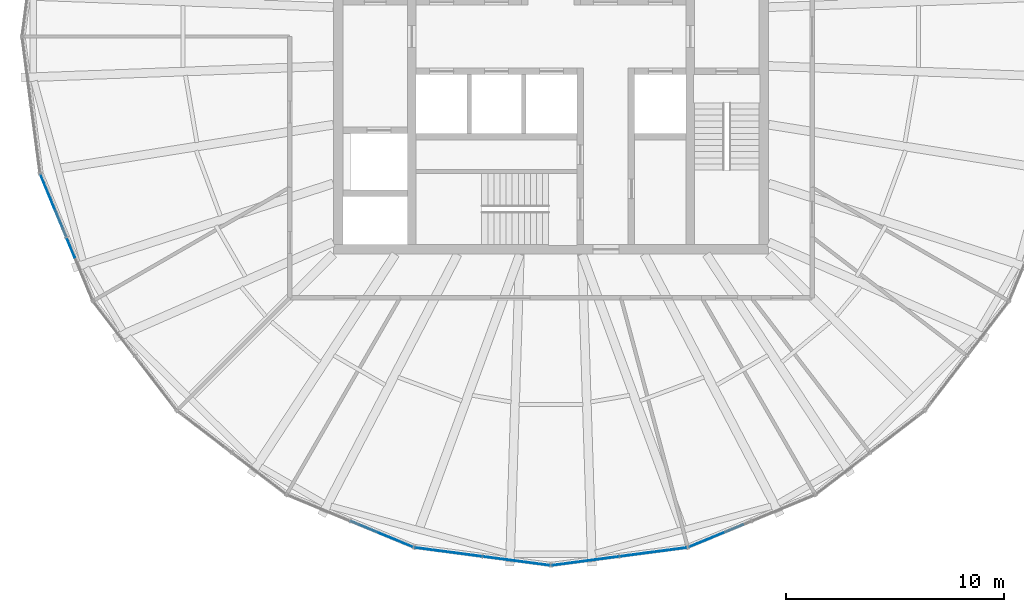
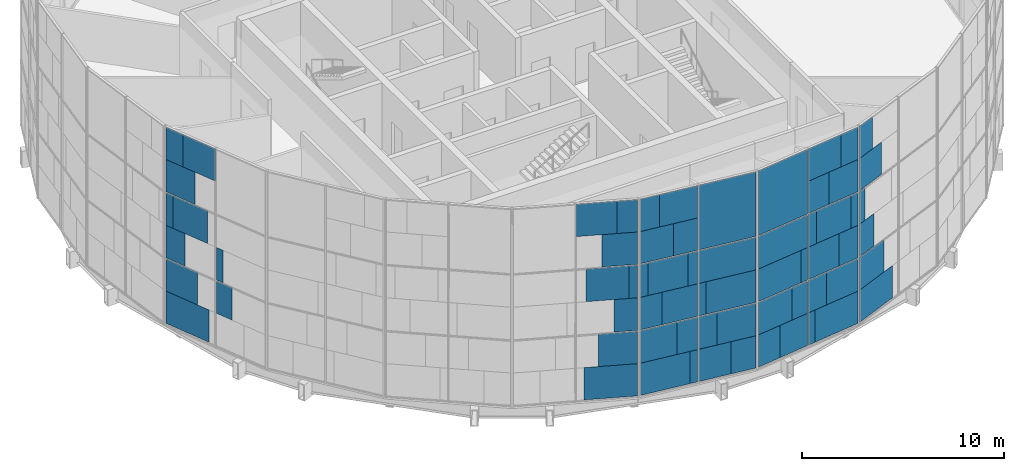
# One storey, part 10 of 22: 66 plates, 5 elements without a shape of their own.
"""IFC4 building model written with IfcOpenShell, lengths in metres."""

from ifc_helpers import new_model, si_unit, direction, frame, origin, origin_2d, place, context, subcontext, project, spatial, rectangle, extrude, material, layer, layer_set, type_object, element, aggregate, save


model = new_model("IFC4")

# Units and contexts
model_context = context("Model", 3, precision=1e-05, world=origin(), true_north=direction((0.0, 1.0)))
body_context = subcontext(model_context, "Body", "Model", "MODEL_VIEW")
ifc_project = project(units=[si_unit("LENGTHUNIT", "METRE"), si_unit("AREAUNIT", "SQUARE_METRE"), si_unit("VOLUMEUNIT", "CUBIC_METRE"), si_unit("PLANEANGLEUNIT", "RADIAN"), si_unit("MASSUNIT", "GRAM", prefix="KILO")], contexts=[model_context])

# Site, building, storey
site_placement = place(None, origin())
site = spatial("IfcSite", under=ifc_project, at=site_placement, CompositionType="ELEMENT")
building_placement = place(site_placement, origin())
building = spatial("IfcBuilding", under=site, at=building_placement, Name="Golbaran Civic Tower", CompositionType="ELEMENT")
storey_placement = place(building_placement, frame((0.0, 0.0, 155.0)))
storey = spatial("IfcBuildingStorey", under=building, at=storey_placement, Name="L37", CompositionType="ELEMENT", Elevation=155.0)

# Curtain wall, plates
ifc_material_1 = material(Name="Aluminium and glass", Category="aluminium")
curtain_wall_type = type_object("IfcCurtainWallType", Name="INNER SKIN CURTAIN WALL", PredefinedType="NOTDEFINED", material=ifc_material_1)
curtain_wall_1_placement = place(storey_placement, origin())
curtain_wall_1 = element("IfcCurtainWall", 1, at=curtain_wall_1_placement, inside=storey, type_object=curtain_wall_type, Name="Inner skin L37 facet 14 CW1", ObjectType="INNER SKIN", PredefinedType="USERDEFINED")
ifc_material_2 = material(Name="Clear insulating glass", Category="glass")
ifc_layer_1 = layer(ifc_material_2, 0.031982421875, Name="Clear insulating glass")
ifc_layer_set_1 = layer_set([ifc_layer_1], Name="Clear insulating glass")
plate_type_1 = type_object("IfcPlateType", Name="INNER SKIN CURTAIN WALL GLAZED PANEL", PredefinedType="CURTAIN_PANEL", material=ifc_layer_set_1)
plate_1_placement = place(storey_placement, frame((-22.9375, -7.584716796875, 0.06494140625), z_axis=(0.0, 0.0, 1.0), x_axis=(0.382683432268, -0.923879532551, 0.0)))
plate_1 = element("IfcPlate", 2, at=plate_1_placement, type_object=plate_type_1, Name="CW1 panel 1.1 part 1", PredefinedType="CURTAIN_PANEL", context=body_context, shape_type="SweptSolid", body=[
    extrude(rectangle(XDim=2.673095703125, YDim=0.031982421875, at=origin_2d()), origin(), (0.0, 0.0, 1.0), 1.951171875),
])
plate_2_placement = place(storey_placement, frame((-23.0732421875, -7.257080078125, 2.016357421875), z_axis=(0.0, 0.0, 1.0), x_axis=(0.382683432268, -0.923879532551, 0.0)))
plate_2 = element("IfcPlate", 3, at=plate_2_placement, type_object=plate_type_1, Name="CW1 panel 1.1 part 3", PredefinedType="CURTAIN_PANEL", context=body_context, shape_type="SweptSolid", body=[
    extrude(rectangle(XDim=1.964111328125, YDim=0.031982421875, at=origin_2d()), origin(), (0.0, 0.0, 1.0), 1.951171875),
])
plate_3_placement = place(storey_placement, frame((-23.223388671875, -6.89501953125, 4.03271484375), z_axis=(0.0, 0.0, 1.0), x_axis=(0.382683432268, -0.923879532551, 0.0)))
plate_3 = element("IfcPlate", 4, at=plate_3_placement, type_object=plate_type_1, Name="CW1 panel 1.2 part 1", PredefinedType="CURTAIN_PANEL", context=body_context, shape_type="SweptSolid", body=[
    extrude(rectangle(XDim=1.179931640625, YDim=0.031982421875, at=origin_2d()), origin(), (0.0, 0.0, 1.0), 1.967529296875),
])
plate_4_placement = place(storey_placement, frame((-23.36865234375, -6.5439453125, 6.0), z_axis=(0.0, 0.0, 1.0), x_axis=(0.382683432268, -0.923879532551, 0.0)))
plate_4 = element("IfcPlate", 5, at=plate_4_placement, type_object=plate_type_1, Name="CW1 panel 1.2 part 3", PredefinedType="CURTAIN_PANEL", context=body_context, shape_type="SweptSolid", body=[
    extrude(rectangle(XDim=0.419921875, YDim=0.031982421875, at=origin_2d()), origin(), (0.0, 0.0, 1.0), 1.967529296875),
])
plate_5_placement = place(storey_placement, frame((-22.661865234375, -8.25, 9.98388671875), z_axis=(0.0, 0.0, 1.0), x_axis=(0.382683432268, -0.923879532551, 0.0)))
plate_5 = element("IfcPlate", 6, at=plate_5_placement, type_object=plate_type_1, Name="CW1 panel 1.3 part 4", PredefinedType="CURTAIN_PANEL", context=body_context, shape_type="SweptSolid", body=[
    extrude(rectangle(XDim=2.03564453125, YDim=0.031982421875, at=origin_2d()), origin(), (0.0, 0.0, 1.0), 1.951171875),
])

curtain_wall_2_placement = place(storey_placement, origin())
curtain_wall_2 = element("IfcCurtainWall", 7, at=curtain_wall_2_placement, inside=storey, type_object=curtain_wall_type, Name="Inner skin L37 facet 17 CW1", ObjectType="INNER SKIN", PredefinedType="USERDEFINED")
plate_6_placement = place(storey_placement, frame((-7.5849609375, -22.9375, 0.06494140625), z_axis=(0.0, 0.0, 1.0), x_axis=(0.923879532551, -0.382683432268, 0.0)))
plate_6 = element("IfcPlate", 8, at=plate_6_placement, type_object=plate_type_1, Name="CW1 panel 2.1 part 2", PredefinedType="CURTAIN_PANEL", context=body_context, shape_type="SweptSolid", body=[
    extrude(rectangle(XDim=2.673583984375, YDim=0.031982421875, at=origin_2d()), origin(), (0.0, 0.0, 1.0), 1.951171875),
])
plate_7_placement = place(storey_placement, frame((-7.25732421875, -23.0732421875, 2.016357421875), z_axis=(0.0, 0.0, 1.0), x_axis=(0.923879532551, -0.382683432268, 0.0)))
plate_7 = element("IfcPlate", 9, at=plate_7_placement, type_object=plate_type_1, Name="CW1 panel 2.1 part 4", PredefinedType="CURTAIN_PANEL", context=body_context, shape_type="SweptSolid", body=[
    extrude(rectangle(XDim=1.964599609375, YDim=0.031982421875, at=origin_2d()), origin(), (0.0, 0.0, 1.0), 1.951171875),
])
plate_8_placement = place(storey_placement, frame((-6.894775390625, -23.223388671875, 4.03271484375), z_axis=(0.0, 0.0, 1.0), x_axis=(0.923879532551, -0.382683432268, 0.0)))
plate_8 = element("IfcPlate", 10, at=plate_8_placement, type_object=plate_type_1, Name="CW1 panel 2.2 part 2", PredefinedType="CURTAIN_PANEL", context=body_context, shape_type="SweptSolid", body=[
    extrude(rectangle(XDim=1.179443359375, YDim=0.031982421875, at=origin_2d()), origin(), (0.0, 0.0, 1.0), 1.967529296875),
])
plate_9_placement = place(storey_placement, frame((-6.543701171875, -23.368896484375, 6.0), z_axis=(0.0, 0.0, 1.0), x_axis=(0.923879532551, -0.382683432268, 0.0)))
plate_9 = element("IfcPlate", 11, at=plate_9_placement, type_object=plate_type_1, Name="CW1 panel 2.2 part 5", PredefinedType="CURTAIN_PANEL", context=body_context, shape_type="SweptSolid", body=[
    extrude(rectangle(XDim=0.41943359375, YDim=0.031982421875, at=origin_2d()), origin(), (0.0, 0.0, 1.0), 1.967529296875),
])
plate_10_placement = place(storey_placement, frame((-8.250244140625, -22.661865234375, 9.98388671875), z_axis=(0.0, 0.0, 1.0), x_axis=(0.923879532551, -0.382683432268, 0.0)))
plate_10 = element("IfcPlate", 12, at=plate_10_placement, type_object=plate_type_1, Name="CW1 panel 2.3 part 3", PredefinedType="CURTAIN_PANEL", context=body_context, shape_type="SweptSolid", body=[
    extrude(rectangle(XDim=2.034912109375, YDim=0.031982421875, at=origin_2d()), origin(), (0.0, 0.0, 1.0), 1.951171875),
])

curtain_wall_3_placement = place(storey_placement, origin())
curtain_wall_3 = element("IfcCurtainWall", 13, at=curtain_wall_3_placement, inside=storey, type_object=curtain_wall_type, Name="Inner skin L37 facet 18 CW1", ObjectType="INNER SKIN", PredefinedType="USERDEFINED")
plate_11_placement = place(storey_placement, frame((-4.900390625, -23.656982421875, 0.06494140625), z_axis=(0.0, 0.0, 1.0), x_axis=(0.991444861365, -0.130526192289, 0.0)))
plate_11 = element("IfcPlate", 14, at=plate_11_placement, type_object=plate_type_1, Name="CW1 panel 1.1 part 1", PredefinedType="CURTAIN_PANEL", context=body_context, shape_type="SweptSolid", body=[
    extrude(rectangle(XDim=2.673095703125, YDim=0.031982421875, at=origin_2d()), origin(), (0.0, 0.0, 1.0), 1.951171875),
])
plate_12_placement = place(storey_placement, frame((-5.251708984375, -23.610595703125, 2.016357421875), z_axis=(0.0, 0.0, 1.0), x_axis=(0.991444861365, -0.130526192289, 0.0)))
plate_12 = element("IfcPlate", 15, at=plate_12_placement, type_object=plate_type_1, Name="CW1 panel 1.1 part 3", PredefinedType="CURTAIN_PANEL", context=body_context, shape_type="SweptSolid", body=[
    extrude(rectangle(XDim=1.964111328125, YDim=0.031982421875, at=origin_2d()), origin(), (0.0, 0.0, 1.0), 1.951171875),
])
plate_13_placement = place(storey_placement, frame((-5.640380859375, -23.559326171875, 4.03271484375), z_axis=(0.0, 0.0, 1.0), x_axis=(0.991444861365, -0.130526192289, 0.0)))
plate_13 = element("IfcPlate", 16, at=plate_13_placement, type_object=plate_type_1, Name="CW1 panel 1.2 part 1", PredefinedType="CURTAIN_PANEL", context=body_context, shape_type="SweptSolid", body=[
    extrude(rectangle(XDim=1.179931640625, YDim=0.031982421875, at=origin_2d()), origin(), (0.0, 0.0, 1.0), 1.967529296875),
])
plate_14_placement = place(storey_placement, frame((-6.01708984375, -23.509765625, 6.0), z_axis=(0.0, 0.0, 1.0), x_axis=(0.991444861365, -0.130526192289, 0.0)))
plate_14 = element("IfcPlate", 17, at=plate_14_placement, type_object=plate_type_1, Name="CW1 panel 1.2 part 3", PredefinedType="CURTAIN_PANEL", context=body_context, shape_type="SweptSolid", body=[
    extrude(rectangle(XDim=0.419921875, YDim=0.031982421875, at=origin_2d()), origin(), (0.0, 0.0, 1.0), 1.967529296875),
])
plate_15_placement = place(storey_placement, frame((-3.42333984375, -23.851318359375, 6.0), z_axis=(0.0, 0.0, 1.0), x_axis=(0.991444861365, -0.130526192289, 0.0)))
plate_15 = element("IfcPlate", 18, at=plate_15_placement, type_object=plate_type_1, Name="CW1 panel 1.2 part 5", PredefinedType="CURTAIN_PANEL", context=body_context, shape_type="SweptSolid", body=[
    extrude(rectangle(XDim=0.49658203125, YDim=0.031982421875, at=origin_2d()), origin(), (0.0, 0.0, 1.0), 1.967529296875),
])
plate_16_placement = place(storey_placement, frame((-3.8125, -23.800048828125, 8.032470703125), z_axis=(0.0, 0.0, 1.0), x_axis=(0.991444861365, -0.130526192289, 0.0)))
plate_16 = element("IfcPlate", 19, at=plate_16_placement, type_object=plate_type_1, Name="CW1 panel 1.3 part 2", PredefinedType="CURTAIN_PANEL", context=body_context, shape_type="SweptSolid", body=[
    extrude(rectangle(XDim=1.281494140625, YDim=0.031982421875, at=origin_2d()), origin(), (0.0, 0.0, 1.0), 1.951171875),
])
plate_17_placement = place(storey_placement, frame((-4.186279296875, -23.7509765625, 9.98388671875), z_axis=(0.0, 0.0, 1.0), x_axis=(0.991444861365, -0.130526192289, 0.0)))
plate_17 = element("IfcPlate", 20, at=plate_17_placement, type_object=plate_type_1, Name="CW1 panel 1.3 part 4", PredefinedType="CURTAIN_PANEL", context=body_context, shape_type="SweptSolid", body=[
    extrude(rectangle(XDim=2.03564453125, YDim=0.031982421875, at=origin_2d()), origin(), (0.0, 0.0, 1.0), 1.951171875),
])
plate_18_placement = place(storey_placement, frame((-0.73095703125, -24.205810546875, 0.06494140625), z_axis=(0.0, 0.0, 1.0), x_axis=(0.991444861365, -0.130526192289, 0.0)))
plate_18 = element("IfcPlate", 21, at=plate_18_placement, type_object=plate_type_1, Name="CW1 panel 2.1 part 2", PredefinedType="CURTAIN_PANEL", context=body_context, shape_type="SweptSolid", body=[
    extrude(rectangle(XDim=1.344482421875, YDim=0.031982421875, at=origin_2d()), origin(), (0.0, 0.0, 1.0), 1.951171875),
])
plate_19_placement = place(storey_placement, frame((-1.104736328125, -24.156494140625, 2.016357421875), z_axis=(0.0, 0.0, 1.0), x_axis=(0.991444861365, -0.130526192289, 0.0)))
plate_19 = element("IfcPlate", 22, at=plate_19_placement, type_object=plate_type_1, Name="CW1 panel 2.1 part 4", PredefinedType="CURTAIN_PANEL", context=body_context, shape_type="SweptSolid", body=[
    extrude(rectangle(XDim=2.0986328125, YDim=0.031982421875, at=origin_2d()), origin(), (0.0, 0.0, 1.0), 1.951171875),
])
plate_20_placement = place(storey_placement, frame((-1.390380859375, -24.118896484375, 4.03271484375), z_axis=(0.0, 0.0, 1.0), x_axis=(0.991444861365, -0.130526192289, 0.0)))
plate_20 = element("IfcPlate", 23, at=plate_20_placement, type_object=plate_type_1, Name="CW1 panel 2.2 part 2", PredefinedType="CURTAIN_PANEL", context=body_context, shape_type="SweptSolid", body=[
    extrude(rectangle(XDim=2.674560546875, YDim=0.031982421875, at=origin_2d()), origin(), (0.0, 0.0, 1.0), 1.967529296875),
])
plate_21_placement = place(storey_placement, frame((-1.588623046875, -24.0927734375, 6.0), z_axis=(0.0, 0.0, 1.0), x_axis=(0.991444861365, -0.130526192289, 0.0)))
plate_21 = element("IfcPlate", 24, at=plate_21_placement, type_object=plate_type_1, Name="CW1 panel 2.2 part 3", PredefinedType="CURTAIN_PANEL", context=body_context, shape_type="SweptSolid", body=[
    extrude(rectangle(XDim=3.074462890625, YDim=0.031982421875, at=origin_2d()), origin(), (0.0, 0.0, 1.0), 1.967529296875),
])
plate_22_placement = place(storey_placement, frame((-1.588623046875, -24.0927734375, 8.0322265625), z_axis=(0.0, 0.0, 1.0), x_axis=(0.991444861365, -0.130526192289, 0.0)))
plate_22 = element("IfcPlate", 25, at=plate_22_placement, type_object=plate_type_1, Name="CW1 panel 2.3", PredefinedType="CURTAIN_PANEL", context=body_context, shape_type="SweptSolid", body=[
    extrude(rectangle(XDim=3.074462890625, YDim=0.031982421875, at=origin_2d()), origin(), (0.0, 0.0, 1.0), 3.902587890625),
])

curtain_wall_4_placement = place(storey_placement, origin())
curtain_wall_4 = element("IfcCurtainWall", 26, at=curtain_wall_4_placement, inside=storey, type_object=curtain_wall_type, Name="Inner skin L37 facet 19 CW1", ObjectType="INNER SKIN", PredefinedType="USERDEFINED")
plate_23_placement = place(storey_placement, frame((0.731201171875, -24.205810546875, 0.06494140625), z_axis=(0.0, 0.0, 1.0), x_axis=(0.991444861365, 0.130526192289, 0.0)))
plate_23 = element("IfcPlate", 27, at=plate_23_placement, type_object=plate_type_1, Name="CW1 panel 1.1 part 1", PredefinedType="CURTAIN_PANEL", context=body_context, shape_type="SweptSolid", body=[
    extrude(rectangle(XDim=1.344970703125, YDim=0.031982421875, at=origin_2d()), origin(), (0.0, 0.0, 1.0), 1.951171875),
])
plate_24_placement = place(storey_placement, frame((1.1044921875, -24.156494140625, 2.016357421875), z_axis=(0.0, 0.0, 1.0), x_axis=(0.991444861365, 0.130526192289, 0.0)))
plate_24 = element("IfcPlate", 28, at=plate_24_placement, type_object=plate_type_1, Name="CW1 panel 1.1 part 3", PredefinedType="CURTAIN_PANEL", context=body_context, shape_type="SweptSolid", body=[
    extrude(rectangle(XDim=2.097900390625, YDim=0.031982421875, at=origin_2d()), origin(), (0.0, 0.0, 1.0), 1.951171875),
])
plate_25_placement = place(storey_placement, frame((1.389404296875, -24.119140625, 4.03271484375), z_axis=(0.0, 0.0, 1.0), x_axis=(0.991444861365, 0.130526192289, 0.0)))
plate_25 = element("IfcPlate", 29, at=plate_25_placement, type_object=plate_type_1, Name="CW1 panel 1.2 part 1", PredefinedType="CURTAIN_PANEL", context=body_context, shape_type="SweptSolid", body=[
    extrude(rectangle(XDim=2.673095703125, YDim=0.031982421875, at=origin_2d()), origin(), (0.0, 0.0, 1.0), 1.967529296875),
])
plate_26_placement = place(storey_placement, frame((1.588623046875, -24.0927734375, 6.0), z_axis=(0.0, 0.0, 1.0), x_axis=(0.991444861365, 0.130526192289, 0.0)))
plate_26 = element("IfcPlate", 30, at=plate_26_placement, type_object=plate_type_1, Name="CW1 panel 1.2 part 3", PredefinedType="CURTAIN_PANEL", context=body_context, shape_type="SweptSolid", body=[
    extrude(rectangle(XDim=3.074462890625, YDim=0.031982421875, at=origin_2d()), origin(), (0.0, 0.0, 1.0), 1.967529296875),
])
plate_27_placement = place(storey_placement, frame((1.588623046875, -24.0927734375, 8.0322265625), z_axis=(0.0, 0.0, 1.0), x_axis=(0.991444861365, 0.130526192289, 0.0)))
plate_27 = element("IfcPlate", 31, at=plate_27_placement, type_object=plate_type_1, Name="CW1 panel 1.3", PredefinedType="CURTAIN_PANEL", context=body_context, shape_type="SweptSolid", body=[
    extrude(rectangle(XDim=3.074462890625, YDim=0.031982421875, at=origin_2d()), origin(), (0.0, 0.0, 1.0), 3.902587890625),
])
plate_28_placement = place(storey_placement, frame((4.900146484375, -23.656982421875, 0.06494140625), z_axis=(0.0, 0.0, 1.0), x_axis=(0.991444861365, 0.130526192289, 0.0)))
plate_28 = element("IfcPlate", 32, at=plate_28_placement, type_object=plate_type_1, Name="CW1 panel 2.1 part 2", PredefinedType="CURTAIN_PANEL", context=body_context, shape_type="SweptSolid", body=[
    extrude(rectangle(XDim=2.673583984375, YDim=0.031982421875, at=origin_2d()), origin(), (0.0, 0.0, 1.0), 1.951171875),
])
plate_29_placement = place(storey_placement, frame((5.25146484375, -23.610595703125, 2.016357421875), z_axis=(0.0, 0.0, 1.0), x_axis=(0.991444861365, 0.130526192289, 0.0)))
plate_29 = element("IfcPlate", 33, at=plate_29_placement, type_object=plate_type_1, Name="CW1 panel 2.1 part 4", PredefinedType="CURTAIN_PANEL", context=body_context, shape_type="SweptSolid", body=[
    extrude(rectangle(XDim=1.964599609375, YDim=0.031982421875, at=origin_2d()), origin(), (0.0, 0.0, 1.0), 1.951171875),
])
plate_30_placement = place(storey_placement, frame((5.640625, -23.559326171875, 4.03271484375), z_axis=(0.0, 0.0, 1.0), x_axis=(0.991444861365, 0.130526192289, 0.0)))
plate_30 = element("IfcPlate", 34, at=plate_30_placement, type_object=plate_type_1, Name="CW1 panel 2.2 part 2", PredefinedType="CURTAIN_PANEL", context=body_context, shape_type="SweptSolid", body=[
    extrude(rectangle(XDim=1.179443359375, YDim=0.031982421875, at=origin_2d()), origin(), (0.0, 0.0, 1.0), 1.967529296875),
])
plate_31_placement = place(storey_placement, frame((3.423583984375, -23.851318359375, 6.0), z_axis=(0.0, 0.0, 1.0), x_axis=(0.991444861365, 0.130526192289, 0.0)))
plate_31 = element("IfcPlate", 35, at=plate_31_placement, type_object=plate_type_1, Name="CW1 panel 2.2 part 3", PredefinedType="CURTAIN_PANEL", context=body_context, shape_type="SweptSolid", body=[
    extrude(rectangle(XDim=0.4970703125, YDim=0.031982421875, at=origin_2d()), origin(), (0.0, 0.0, 1.0), 1.967529296875),
])
plate_32_placement = place(storey_placement, frame((6.017333984375, -23.509765625, 6.0), z_axis=(0.0, 0.0, 1.0), x_axis=(0.991444861365, 0.130526192289, 0.0)))
plate_32 = element("IfcPlate", 36, at=plate_32_placement, type_object=plate_type_1, Name="CW1 panel 2.2 part 5", PredefinedType="CURTAIN_PANEL", context=body_context, shape_type="SweptSolid", body=[
    extrude(rectangle(XDim=0.41943359375, YDim=0.031982421875, at=origin_2d()), origin(), (0.0, 0.0, 1.0), 1.967529296875),
])
plate_33_placement = place(storey_placement, frame((3.812744140625, -23.800048828125, 8.032470703125), z_axis=(0.0, 0.0, 1.0), x_axis=(0.991444861365, 0.130526192289, 0.0)))
plate_33 = element("IfcPlate", 37, at=plate_33_placement, type_object=plate_type_1, Name="CW1 panel 2.3 part 1", PredefinedType="CURTAIN_PANEL", context=body_context, shape_type="SweptSolid", body=[
    extrude(rectangle(XDim=1.281982421875, YDim=0.031982421875, at=origin_2d()), origin(), (0.0, 0.0, 1.0), 1.951171875),
])
plate_34_placement = place(storey_placement, frame((4.18603515625, -23.7509765625, 9.98388671875), z_axis=(0.0, 0.0, 1.0), x_axis=(0.991444861365, 0.130526192289, 0.0)))
plate_34 = element("IfcPlate", 38, at=plate_34_placement, type_object=plate_type_1, Name="CW1 panel 2.3 part 3", PredefinedType="CURTAIN_PANEL", context=body_context, shape_type="SweptSolid", body=[
    extrude(rectangle(XDim=2.034912109375, YDim=0.031982421875, at=origin_2d()), origin(), (0.0, 0.0, 1.0), 1.951171875),
])

curtain_wall_5_placement = place(storey_placement, origin())
curtain_wall_5 = element("IfcCurtainWall", 39, at=curtain_wall_5_placement, inside=storey, type_object=curtain_wall_type, Name="Inner skin L37 facet 20 CW1", ObjectType="INNER SKIN", PredefinedType="USERDEFINED")
plate_35_placement = place(storey_placement, frame((7.584716796875, -22.9375, 0.06494140625), z_axis=(0.0, 0.0, 1.0), x_axis=(0.923879532551, 0.382683432268, 0.0)))
plate_35 = element("IfcPlate", 40, at=plate_35_placement, type_object=plate_type_1, Name="CW1 panel 1.1 part 1", PredefinedType="CURTAIN_PANEL", context=body_context, shape_type="SweptSolid", body=[
    extrude(rectangle(XDim=2.673095703125, YDim=0.031982421875, at=origin_2d()), origin(), (0.0, 0.0, 1.0), 1.951171875),
])
plate_36_placement = place(storey_placement, frame((7.257080078125, -23.0732421875, 2.016357421875), z_axis=(0.0, 0.0, 1.0), x_axis=(0.923879532551, 0.382683432268, 0.0)))
plate_36 = element("IfcPlate", 41, at=plate_36_placement, type_object=plate_type_1, Name="CW1 panel 1.1 part 3", PredefinedType="CURTAIN_PANEL", context=body_context, shape_type="SweptSolid", body=[
    extrude(rectangle(XDim=1.964111328125, YDim=0.031982421875, at=origin_2d()), origin(), (0.0, 0.0, 1.0), 1.951171875),
])
plate_37_placement = place(storey_placement, frame((6.89501953125, -23.223388671875, 4.03271484375), z_axis=(0.0, 0.0, 1.0), x_axis=(0.923879532551, 0.382683432268, 0.0)))
plate_37 = element("IfcPlate", 42, at=plate_37_placement, type_object=plate_type_1, Name="CW1 panel 1.2 part 1", PredefinedType="CURTAIN_PANEL", context=body_context, shape_type="SweptSolid", body=[
    extrude(rectangle(XDim=1.179931640625, YDim=0.031982421875, at=origin_2d()), origin(), (0.0, 0.0, 1.0), 1.967529296875),
])
plate_38_placement = place(storey_placement, frame((6.5439453125, -23.36865234375, 6.0), z_axis=(0.0, 0.0, 1.0), x_axis=(0.923879532551, 0.382683432268, 0.0)))
plate_38 = element("IfcPlate", 43, at=plate_38_placement, type_object=plate_type_1, Name="CW1 panel 1.2 part 3", PredefinedType="CURTAIN_PANEL", context=body_context, shape_type="SweptSolid", body=[
    extrude(rectangle(XDim=0.419921875, YDim=0.031982421875, at=origin_2d()), origin(), (0.0, 0.0, 1.0), 1.967529296875),
])

# Plate
ifc_material_3 = material(Name="Aluminium faced opaque infill panel", Category="aluminium")
ifc_layer_2 = layer(ifc_material_3, 0.031982421875, Name="Aluminium faced opaque infill panel")
ifc_layer_set_2 = layer_set([ifc_layer_2], Name="Aluminium faced opaque infill panel")
plate_type_2 = type_object("IfcPlateType", Name="INNER SKIN CURTAIN WALL OPAQUE INFILL PANEL", PredefinedType="CURTAIN_PANEL", material=ifc_layer_set_2)
plate_39_placement = place(storey_placement, frame((-22.87548828125, -7.73486328125, 6.0), z_axis=(0.0, 0.0, 1.0), x_axis=(0.382683432268, -0.923879532551, 0.0)))
plate_39 = element("IfcPlate", 44, at=plate_39_placement, type_object=plate_type_2, Name="CW1 infill panel 1.2 part 4", PredefinedType="CURTAIN_PANEL", context=body_context, shape_type="SweptSolid", body=[
    extrude(rectangle(XDim=2.157958984375, YDim=0.031982421875, at=origin_2d()), origin(), (0.0, 0.0, 1.0), 1.967529296875),
])

plate_40_placement = place(storey_placement, frame((-23.10595703125, -7.17822265625, 8.032470703125), z_axis=(0.0, 0.0, 1.0), x_axis=(0.382683432268, -0.923879532551, 0.0)))
plate_40 = element("IfcPlate", 45, at=plate_40_placement, type_object=plate_type_2, Name="CW1 infill panel 1.3 part 1", PredefinedType="CURTAIN_PANEL", context=body_context, shape_type="SweptSolid", body=[
    extrude(rectangle(XDim=1.79296875, YDim=0.031982421875, at=origin_2d()), origin(), (0.0, 0.0, 1.0), 1.951171875),
])

plate_41_placement = place(storey_placement, frame((-23.250244140625, -6.829833984375, 9.98388671875), z_axis=(0.0, 0.0, 1.0), x_axis=(0.382683432268, -0.923879532551, 0.0)))
plate_41 = element("IfcPlate", 46, at=plate_41_placement, type_object=plate_type_2, Name="CW1 infill panel 1.3 part 3", PredefinedType="CURTAIN_PANEL", context=body_context, shape_type="SweptSolid", body=[
    extrude(rectangle(XDim=1.0390625, YDim=0.031982421875, at=origin_2d()), origin(), (0.0, 0.0, 1.0), 1.951171875),
])

plate_42_placement = place(storey_placement, frame((-22.060791015625, -9.701171875, 2.016357421875), z_axis=(0.0, 0.0, 1.0), x_axis=(0.382683432268, -0.923879532551, 0.0)))
plate_42 = element("IfcPlate", 47, at=plate_42_placement, type_object=plate_type_2, Name="CW1 infill panel 2.1 part 3", PredefinedType="CURTAIN_PANEL", context=body_context, shape_type="SweptSolid", body=[
    extrude(rectangle(XDim=0.97607421875, YDim=0.031982421875, at=origin_2d()), origin(), (0.0, 0.0, 1.0), 1.951171875),
])

plate_43_placement = place(storey_placement, frame((-22.171142578125, -9.435302734375, 4.03271484375), z_axis=(0.0, 0.0, 1.0), x_axis=(0.382683432268, -0.923879532551, 0.0)))
plate_43 = element("IfcPlate", 48, at=plate_43_placement, type_object=plate_type_2, Name="CW1 infill panel 2.2 part 1", PredefinedType="CURTAIN_PANEL", context=body_context, shape_type="SweptSolid", body=[
    extrude(rectangle(XDim=0.39990234375, YDim=0.031982421875, at=origin_2d()), origin(), (0.0, 0.0, 1.0), 1.967529296875),
])

aggregate(curtain_wall_1, [plate_1, plate_2, plate_3, plate_4, plate_39, plate_40, plate_41, plate_5, plate_42, plate_43])

plate_44_placement = place(storey_placement, frame((-7.734375, -22.87548828125, 6.0), z_axis=(0.0, 0.0, 1.0), x_axis=(0.923879532551, -0.382683432268, 0.0)))
plate_44 = element("IfcPlate", 49, at=plate_44_placement, type_object=plate_type_2, Name="CW1 infill panel 2.2 part 4", PredefinedType="CURTAIN_PANEL", context=body_context, shape_type="SweptSolid", body=[
    extrude(rectangle(XDim=2.157958984375, YDim=0.031982421875, at=origin_2d()), origin(), (0.0, 0.0, 1.0), 1.967529296875),
])

plate_45_placement = place(storey_placement, frame((-7.177978515625, -23.10595703125, 8.032470703125), z_axis=(0.0, 0.0, 1.0), x_axis=(0.923879532551, -0.382683432268, 0.0)))
plate_45 = element("IfcPlate", 50, at=plate_45_placement, type_object=plate_type_2, Name="CW1 infill panel 2.3 part 2", PredefinedType="CURTAIN_PANEL", context=body_context, shape_type="SweptSolid", body=[
    extrude(rectangle(XDim=1.79248046875, YDim=0.031982421875, at=origin_2d()), origin(), (0.0, 0.0, 1.0), 1.951171875),
])

plate_46_placement = place(storey_placement, frame((-6.830078125, -23.250244140625, 9.98388671875), z_axis=(0.0, 0.0, 1.0), x_axis=(0.923879532551, -0.382683432268, 0.0)))
plate_46 = element("IfcPlate", 51, at=plate_46_placement, type_object=plate_type_2, Name="CW1 infill panel 2.3 part 4", PredefinedType="CURTAIN_PANEL", context=body_context, shape_type="SweptSolid", body=[
    extrude(rectangle(XDim=1.03955078125, YDim=0.031982421875, at=origin_2d()), origin(), (0.0, 0.0, 1.0), 1.951171875),
])

aggregate(curtain_wall_2, [plate_6, plate_7, plate_8, plate_44, plate_9, plate_45, plate_10, plate_46])

plate_47_placement = place(storey_placement, frame((-3.376220703125, -23.857421875, 0.06494140625), z_axis=(0.0, 0.0, 1.0), x_axis=(0.991444861365, -0.130526192289, 0.0)))
plate_47 = element("IfcPlate", 52, at=plate_47_placement, type_object=plate_type_2, Name="CW1 infill panel 1.1 part 2", PredefinedType="CURTAIN_PANEL", context=body_context, shape_type="SweptSolid", body=[
    extrude(rectangle(XDim=0.401611328125, YDim=0.031982421875, at=origin_2d()), origin(), (0.0, 0.0, 1.0), 1.951171875),
])

plate_48_placement = place(storey_placement, frame((-3.7275390625, -23.811279296875, 2.016357421875), z_axis=(0.0, 0.0, 1.0), x_axis=(0.991444861365, -0.130526192289, 0.0)))
plate_48 = element("IfcPlate", 53, at=plate_48_placement, type_object=plate_type_2, Name="CW1 infill panel 1.1 part 4", PredefinedType="CURTAIN_PANEL", context=body_context, shape_type="SweptSolid", body=[
    extrude(rectangle(XDim=1.110595703125, YDim=0.031982421875, at=origin_2d()), origin(), (0.0, 0.0, 1.0), 1.951171875),
])

plate_49_placement = place(storey_placement, frame((-4.1162109375, -23.760009765625, 4.03271484375), z_axis=(0.0, 0.0, 1.0), x_axis=(0.991444861365, -0.130526192289, 0.0)))
plate_49 = element("IfcPlate", 54, at=plate_49_placement, type_object=plate_type_2, Name="CW1 infill panel 1.2 part 2", PredefinedType="CURTAIN_PANEL", context=body_context, shape_type="SweptSolid", body=[
    extrude(rectangle(XDim=1.89453125, YDim=0.031982421875, at=origin_2d()), origin(), (0.0, 0.0, 1.0), 1.967529296875),
])

plate_50_placement = place(storey_placement, frame((-4.7392578125, -23.677978515625, 6.0), z_axis=(0.0, 0.0, 1.0), x_axis=(0.991444861365, -0.130526192289, 0.0)))
plate_50 = element("IfcPlate", 55, at=plate_50_placement, type_object=plate_type_2, Name="CW1 infill panel 1.2 part 4", PredefinedType="CURTAIN_PANEL", context=body_context, shape_type="SweptSolid", body=[
    extrude(rectangle(XDim=2.157958984375, YDim=0.031982421875, at=origin_2d()), origin(), (0.0, 0.0, 1.0), 1.967529296875),
])

plate_51_placement = place(storey_placement, frame((-5.33642578125, -23.599365234375, 8.032470703125), z_axis=(0.0, 0.0, 1.0), x_axis=(0.991444861365, -0.130526192289, 0.0)))
plate_51 = element("IfcPlate", 56, at=plate_51_placement, type_object=plate_type_2, Name="CW1 infill panel 1.3 part 1", PredefinedType="CURTAIN_PANEL", context=body_context, shape_type="SweptSolid", body=[
    extrude(rectangle(XDim=1.79296875, YDim=0.031982421875, at=origin_2d()), origin(), (0.0, 0.0, 1.0), 1.951171875),
])

plate_52_placement = place(storey_placement, frame((-5.710205078125, -23.55029296875, 9.98388671875), z_axis=(0.0, 0.0, 1.0), x_axis=(0.991444861365, -0.130526192289, 0.0)))
plate_52 = element("IfcPlate", 57, at=plate_52_placement, type_object=plate_type_2, Name="CW1 infill panel 1.3 part 3", PredefinedType="CURTAIN_PANEL", context=body_context, shape_type="SweptSolid", body=[
    extrude(rectangle(XDim=1.0390625, YDim=0.031982421875, at=origin_2d()), origin(), (0.0, 0.0, 1.0), 1.951171875),
])

plate_53_placement = place(storey_placement, frame((-2.255126953125, -24.005126953125, 0.06494140625), z_axis=(0.0, 0.0, 1.0), x_axis=(0.991444861365, -0.130526192289, 0.0)))
plate_53 = element("IfcPlate", 58, at=plate_53_placement, type_object=plate_type_2, Name="CW1 infill panel 2.1 part 1", PredefinedType="CURTAIN_PANEL", context=body_context, shape_type="SweptSolid", body=[
    extrude(rectangle(XDim=1.72998046875, YDim=0.031982421875, at=origin_2d()), origin(), (0.0, 0.0, 1.0), 1.951171875),
])

plate_54_placement = place(storey_placement, frame((-2.62890625, -23.955810546875, 2.016357421875), z_axis=(0.0, 0.0, 1.0), x_axis=(0.991444861365, -0.130526192289, 0.0)))
plate_54 = element("IfcPlate", 59, at=plate_54_placement, type_object=plate_type_2, Name="CW1 infill panel 2.1 part 3", PredefinedType="CURTAIN_PANEL", context=body_context, shape_type="SweptSolid", body=[
    extrude(rectangle(XDim=0.97607421875, YDim=0.031982421875, at=origin_2d()), origin(), (0.0, 0.0, 1.0), 1.951171875),
])

plate_55_placement = place(storey_placement, frame((-2.914306640625, -23.918212890625, 4.03271484375), z_axis=(0.0, 0.0, 1.0), x_axis=(0.991444861365, -0.130526192289, 0.0)))
plate_55 = element("IfcPlate", 60, at=plate_55_placement, type_object=plate_type_2, Name="CW1 infill panel 2.2 part 1", PredefinedType="CURTAIN_PANEL", context=body_context, shape_type="SweptSolid", body=[
    extrude(rectangle(XDim=0.39990234375, YDim=0.031982421875, at=origin_2d()), origin(), (0.0, 0.0, 1.0), 1.967529296875),
])

aggregate(curtain_wall_3, [plate_11, plate_47, plate_12, plate_48, plate_13, plate_49, plate_14, plate_50, plate_15, plate_51, plate_16, plate_52, plate_17, plate_53, plate_18, plate_54, plate_19, plate_55, plate_20, plate_21, plate_22])

plate_56_placement = place(storey_placement, frame((2.25537109375, -24.005126953125, 0.06494140625), z_axis=(0.0, 0.0, 1.0), x_axis=(0.991444861365, 0.130526192289, 0.0)))
plate_56 = element("IfcPlate", 61, at=plate_56_placement, type_object=plate_type_2, Name="CW1 infill panel 1.1 part 2", PredefinedType="CURTAIN_PANEL", context=body_context, shape_type="SweptSolid", body=[
    extrude(rectangle(XDim=1.7294921875, YDim=0.031982421875, at=origin_2d()), origin(), (0.0, 0.0, 1.0), 1.951171875),
])

plate_57_placement = place(storey_placement, frame((2.628662109375, -23.9560546875, 2.016357421875), z_axis=(0.0, 0.0, 1.0), x_axis=(0.991444861365, 0.130526192289, 0.0)))
plate_57 = element("IfcPlate", 62, at=plate_57_placement, type_object=plate_type_2, Name="CW1 infill panel 1.1 part 4", PredefinedType="CURTAIN_PANEL", context=body_context, shape_type="SweptSolid", body=[
    extrude(rectangle(XDim=0.9765625, YDim=0.031982421875, at=origin_2d()), origin(), (0.0, 0.0, 1.0), 1.951171875),
])

plate_58_placement = place(storey_placement, frame((2.91357421875, -23.91845703125, 4.03271484375), z_axis=(0.0, 0.0, 1.0), x_axis=(0.991444861365, 0.130526192289, 0.0)))
plate_58 = element("IfcPlate", 63, at=plate_58_placement, type_object=plate_type_2, Name="CW1 infill panel 1.2 part 2", PredefinedType="CURTAIN_PANEL", context=body_context, shape_type="SweptSolid", body=[
    extrude(rectangle(XDim=0.401611328125, YDim=0.031982421875, at=origin_2d()), origin(), (0.0, 0.0, 1.0), 1.967529296875),
])

plate_59_placement = place(storey_placement, frame((3.3759765625, -23.857666015625, 0.06494140625), z_axis=(0.0, 0.0, 1.0), x_axis=(0.991444861365, 0.130526192289, 0.0)))
plate_59 = element("IfcPlate", 64, at=plate_59_placement, type_object=plate_type_2, Name="CW1 infill panel 2.1 part 1", PredefinedType="CURTAIN_PANEL", context=body_context, shape_type="SweptSolid", body=[
    extrude(rectangle(XDim=0.40087890625, YDim=0.031982421875, at=origin_2d()), origin(), (0.0, 0.0, 1.0), 1.951171875),
])

plate_60_placement = place(storey_placement, frame((3.727294921875, -23.811279296875, 2.016357421875), z_axis=(0.0, 0.0, 1.0), x_axis=(0.991444861365, 0.130526192289, 0.0)))
plate_60 = element("IfcPlate", 65, at=plate_60_placement, type_object=plate_type_2, Name="CW1 infill panel 2.1 part 3", PredefinedType="CURTAIN_PANEL", context=body_context, shape_type="SweptSolid", body=[
    extrude(rectangle(XDim=1.110107421875, YDim=0.031982421875, at=origin_2d()), origin(), (0.0, 0.0, 1.0), 1.951171875),
])

plate_61_placement = place(storey_placement, frame((4.116455078125, -23.760009765625, 4.03271484375), z_axis=(0.0, 0.0, 1.0), x_axis=(0.991444861365, 0.130526192289, 0.0)))
plate_61 = element("IfcPlate", 66, at=plate_61_placement, type_object=plate_type_2, Name="CW1 infill panel 2.2 part 1", PredefinedType="CURTAIN_PANEL", context=body_context, shape_type="SweptSolid", body=[
    extrude(rectangle(XDim=1.89501953125, YDim=0.031982421875, at=origin_2d()), origin(), (0.0, 0.0, 1.0), 1.967529296875),
])

plate_62_placement = place(storey_placement, frame((4.73974609375, -23.677978515625, 6.0), z_axis=(0.0, 0.0, 1.0), x_axis=(0.991444861365, 0.130526192289, 0.0)))
plate_62 = element("IfcPlate", 67, at=plate_62_placement, type_object=plate_type_2, Name="CW1 infill panel 2.2 part 4", PredefinedType="CURTAIN_PANEL", context=body_context, shape_type="SweptSolid", body=[
    extrude(rectangle(XDim=2.157958984375, YDim=0.031982421875, at=origin_2d()), origin(), (0.0, 0.0, 1.0), 1.967529296875),
])

plate_63_placement = place(storey_placement, frame((5.336669921875, -23.599365234375, 8.032470703125), z_axis=(0.0, 0.0, 1.0), x_axis=(0.991444861365, 0.130526192289, 0.0)))
plate_63 = element("IfcPlate", 68, at=plate_63_placement, type_object=plate_type_2, Name="CW1 infill panel 2.3 part 2", PredefinedType="CURTAIN_PANEL", context=body_context, shape_type="SweptSolid", body=[
    extrude(rectangle(XDim=1.79248046875, YDim=0.031982421875, at=origin_2d()), origin(), (0.0, 0.0, 1.0), 1.951171875),
])

plate_64_placement = place(storey_placement, frame((5.7099609375, -23.55029296875, 9.98388671875), z_axis=(0.0, 0.0, 1.0), x_axis=(0.991444861365, 0.130526192289, 0.0)))
plate_64 = element("IfcPlate", 69, at=plate_64_placement, type_object=plate_type_2, Name="CW1 infill panel 2.3 part 4", PredefinedType="CURTAIN_PANEL", context=body_context, shape_type="SweptSolid", body=[
    extrude(rectangle(XDim=1.03955078125, YDim=0.031982421875, at=origin_2d()), origin(), (0.0, 0.0, 1.0), 1.951171875),
])

aggregate(curtain_wall_4, [plate_23, plate_56, plate_24, plate_57, plate_25, plate_58, plate_26, plate_27, plate_59, plate_28, plate_60, plate_29, plate_61, plate_30, plate_31, plate_62, plate_32, plate_33, plate_63, plate_34, plate_64])

plate_65_placement = place(storey_placement, frame((7.17822265625, -23.10595703125, 8.032470703125), z_axis=(0.0, 0.0, 1.0), x_axis=(0.923879532551, 0.382683432268, 0.0)))
plate_65 = element("IfcPlate", 70, at=plate_65_placement, type_object=plate_type_2, Name="CW1 infill panel 1.3 part 1", PredefinedType="CURTAIN_PANEL", context=body_context, shape_type="SweptSolid", body=[
    extrude(rectangle(XDim=1.79296875, YDim=0.031982421875, at=origin_2d()), origin(), (0.0, 0.0, 1.0), 1.951171875),
])

plate_66_placement = place(storey_placement, frame((6.829833984375, -23.250244140625, 9.98388671875), z_axis=(0.0, 0.0, 1.0), x_axis=(0.923879532551, 0.382683432268, 0.0)))
plate_66 = element("IfcPlate", 71, at=plate_66_placement, type_object=plate_type_2, Name="CW1 infill panel 1.3 part 3", PredefinedType="CURTAIN_PANEL", context=body_context, shape_type="SweptSolid", body=[
    extrude(rectangle(XDim=1.0390625, YDim=0.031982421875, at=origin_2d()), origin(), (0.0, 0.0, 1.0), 1.951171875),
])

aggregate(curtain_wall_5, [plate_35, plate_36, plate_37, plate_38, plate_65, plate_66])

save(model, "model.ifc")
